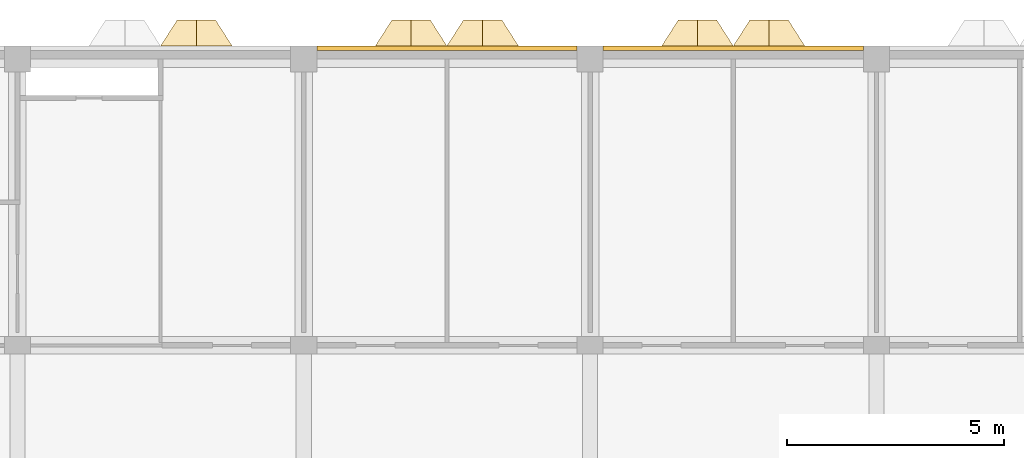
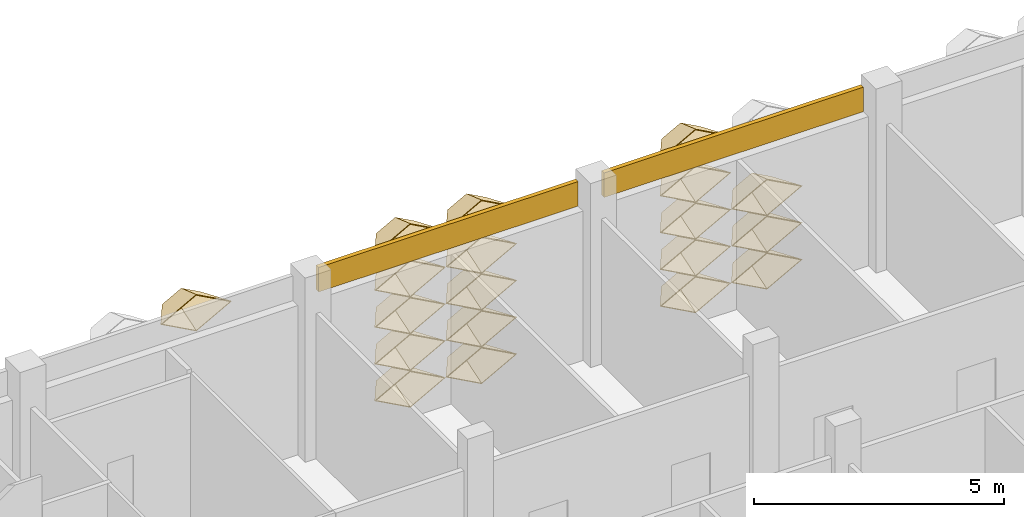
# One storey, part 79 of 87: 21 coverings.
"""IFC4 building model written with IfcOpenShell, lengths in metres."""

from ifc_helpers import new_model, entity, si_unit, direction, frame, frame_2d, origin, place, context, subcontext, project, spatial, rectangle, extrude, material, layer, layer_set, type_object, element, save


model = new_model("IFC4")

# Units and contexts
model_context = context("Model", 3, precision=1e-05, world=origin(), true_north=direction((0.0, 1.0)))
body_context = subcontext(model_context, "Body", "Model", "MODEL_VIEW")
ifc_project = project(units=[si_unit("LENGTHUNIT", "METRE"), si_unit("AREAUNIT", "SQUARE_METRE"), si_unit("VOLUMEUNIT", "CUBIC_METRE"), si_unit("PLANEANGLEUNIT", "RADIAN"), si_unit("MASSUNIT", "GRAM", prefix="KILO")], contexts=[model_context])

# Site, building, storey
site_placement = place(None, origin())
site = spatial("IfcSite", under=ifc_project, at=site_placement, CompositionType="ELEMENT")
building_placement = place(site_placement, origin())
building = spatial("IfcBuilding", under=site, at=building_placement, Name="Lantern Court Research Institute", CompositionType="ELEMENT")
storey_placement = place(building_placement, frame((0.0, 0.0, 5.39990234375)))
storey = spatial("IfcBuildingStorey", under=building, at=storey_placement, Name="L01", CompositionType="ELEMENT", Elevation=5.39990234375)

# Coverings
ifc_material_1 = material(Name="Aluminium composite panel with mineral wool insulation", Category="aluminium")
ifc_layer_1 = layer(ifc_material_1, 0.10009765625)
ifc_layer_set_1 = layer_set([ifc_layer_1], Name="Aluminium composite panel with mineral wool insulation")
covering_type_1 = type_object("IfcCoveringType", Name="Edge fascia panel 100 aluminium faced", PredefinedType="CLADDING", material=ifc_layer_set_1)
for number, where, z_axis, x_axis, name in (
    (1, (20.10009765625, 99.25, 3.650146484375), (0.0, 0.0, 1.0), (1.0, 0.0, 0.0), "Edge fascia V6N L01 03"),
    (2, (26.699951171875, 99.25, 3.650146484375), (0.0, 0.0, 1.0), (1.0, 0.0, 0.0), "Edge fascia V6N L01 04"),
):
    element("IfcCovering", number, at=place(storey_placement, frame(where, z_axis=z_axis, x_axis=x_axis)), inside=storey, type_object=covering_type_1, Name=name, PredefinedType="CLADDING", context=body_context, shape_type="SweptSolid", body=[
        extrude(rectangle(XDim=6.0, YDim=0.10009765625, at=frame_2d((3.0, 0.0))), origin(), (0.0, 0.0, 1.0), 0.599853515625),
    ])
ifc_material_2 = material(Name="Anodised aluminium", Category="aluminium")
ifc_layer_2 = layer(ifc_material_2, 0.01611328125)
ifc_layer_set_2 = layer_set([ifc_layer_2], Name="Anodised aluminium")
covering_type_2 = type_object("IfcCoveringType", Name="Fin cassette 1650 x 900 x 600 aluminium", PredefinedType="CLADDING", material=ifc_layer_set_2)
covering_1_placement = place(storey_placement, frame((22.27490234375, 99.300048828125, 0.4501953125), z_axis=(0.0, 1.0, 0.0), x_axis=(-1.0, 0.0, 0.0)))
cartesian_point_1 = entity("IfcCartesianPoint", [0.824951171875, 0.0])
cartesian_point_2 = entity("IfcCartesianPoint", [0.79150390625, 0.0])
cartesian_point_3 = entity("IfcCartesianPoint", [0.44189453125, 0.0])
cartesian_point_4 = entity("IfcCartesianPoint", [0.43359375, 0.0])
element("IfcCovering", 3, at=covering_1_placement, inside=storey, type_object=covering_type_2, Name="Fin cassette V6N-L01 1.14", PredefinedType="CLADDING", context=body_context, shape_type="SweptSolid", body=[
    entity("IfcExtrudedAreaSolidTapered", entity("IfcArbitraryProfileDefWithVoids", "AREA", None, entity("IfcPolyline", [cartesian_point_1, entity("IfcCartesianPoint", [0.0, 0.449951171875]), entity("IfcCartesianPoint", [-0.824951171875, 0.0]), entity("IfcCartesianPoint", [0.0, -0.449951171875]), cartesian_point_1]), [entity("IfcPolyline", [cartesian_point_2, entity("IfcCartesianPoint", [0.0, 0.431884765625]), entity("IfcCartesianPoint", [-0.79150390625, 0.0]), entity("IfcCartesianPoint", [0.0, -0.431884765625]), cartesian_point_2])]), entity("IfcAxis2Placement3D", entity("IfcCartesianPoint", [0.0, 0.0, 0.0])), entity("IfcDirection", [0.0, 0.0, 1.0]), 0.60009765625, entity("IfcArbitraryProfileDefWithVoids", "AREA", None, entity("IfcPolyline", [cartesian_point_3, entity("IfcCartesianPoint", [0.0, 0.240966796875]), entity("IfcCartesianPoint", [-0.44189453125, 0.0]), entity("IfcCartesianPoint", [0.0, -0.240966796875]), cartesian_point_3]), [entity("IfcPolyline", [cartesian_point_4, entity("IfcCartesianPoint", [0.0, 0.236572265625]), entity("IfcCartesianPoint", [-0.43359375, 0.0]), entity("IfcCartesianPoint", [0.0, -0.236572265625]), cartesian_point_4])])),
])
covering_2_placement = place(storey_placement, frame((23.925048828125, 99.300048828125, 0.4501953125), z_axis=(0.0, 1.0, 0.0), x_axis=(-1.0, 0.0, 0.0)))
cartesian_point_5 = entity("IfcCartesianPoint", [0.824951171875, 0.0])
cartesian_point_6 = entity("IfcCartesianPoint", [0.79150390625, 0.0])
cartesian_point_7 = entity("IfcCartesianPoint", [0.44189453125, 0.0])
cartesian_point_8 = entity("IfcCartesianPoint", [0.43359375, 0.0])
element("IfcCovering", 4, at=covering_2_placement, inside=storey, type_object=covering_type_2, Name="Fin cassette V6N-L01 1.15", PredefinedType="CLADDING", context=body_context, shape_type="SweptSolid", body=[
    entity("IfcExtrudedAreaSolidTapered", entity("IfcArbitraryProfileDefWithVoids", "AREA", None, entity("IfcPolyline", [cartesian_point_5, entity("IfcCartesianPoint", [0.0, 0.449951171875]), entity("IfcCartesianPoint", [-0.824951171875, 0.0]), entity("IfcCartesianPoint", [0.0, -0.449951171875]), cartesian_point_5]), [entity("IfcPolyline", [cartesian_point_6, entity("IfcCartesianPoint", [0.0, 0.431884765625]), entity("IfcCartesianPoint", [-0.79150390625, 0.0]), entity("IfcCartesianPoint", [0.0, -0.431884765625]), cartesian_point_6])]), entity("IfcAxis2Placement3D", entity("IfcCartesianPoint", [0.0, 0.0, 0.0])), entity("IfcDirection", [0.0, 0.0, 1.0]), 0.60009765625, entity("IfcArbitraryProfileDefWithVoids", "AREA", None, entity("IfcPolyline", [cartesian_point_7, entity("IfcCartesianPoint", [0.0, 0.240966796875]), entity("IfcCartesianPoint", [-0.44189453125, 0.0]), entity("IfcCartesianPoint", [0.0, -0.240966796875]), cartesian_point_7]), [entity("IfcPolyline", [cartesian_point_8, entity("IfcCartesianPoint", [0.0, 0.236572265625]), entity("IfcCartesianPoint", [-0.43359375, 0.0]), entity("IfcCartesianPoint", [0.0, -0.236572265625]), cartesian_point_8])])),
])
covering_3_placement = place(storey_placement, frame((28.875, 99.300048828125, 0.4501953125), z_axis=(0.0, 1.0, 0.0), x_axis=(-1.0, 0.0, 0.0)))
cartesian_point_9 = entity("IfcCartesianPoint", [0.824951171875, 0.0])
cartesian_point_10 = entity("IfcCartesianPoint", [0.79150390625, 0.0])
cartesian_point_11 = entity("IfcCartesianPoint", [0.44189453125, 0.0])
cartesian_point_12 = entity("IfcCartesianPoint", [0.43359375, 0.0])
element("IfcCovering", 5, at=covering_3_placement, inside=storey, type_object=covering_type_2, Name="Fin cassette V6N-L01 1.18", PredefinedType="CLADDING", context=body_context, shape_type="SweptSolid", body=[
    entity("IfcExtrudedAreaSolidTapered", entity("IfcArbitraryProfileDefWithVoids", "AREA", None, entity("IfcPolyline", [cartesian_point_9, entity("IfcCartesianPoint", [0.0, 0.449951171875]), entity("IfcCartesianPoint", [-0.824951171875, 0.0]), entity("IfcCartesianPoint", [0.0, -0.449951171875]), cartesian_point_9]), [entity("IfcPolyline", [cartesian_point_10, entity("IfcCartesianPoint", [0.0, 0.431884765625]), entity("IfcCartesianPoint", [-0.79150390625, 0.0]), entity("IfcCartesianPoint", [0.0, -0.431884765625]), cartesian_point_10])]), entity("IfcAxis2Placement3D", entity("IfcCartesianPoint", [0.0, 0.0, 0.0])), entity("IfcDirection", [0.0, 0.0, 1.0]), 0.60009765625, entity("IfcArbitraryProfileDefWithVoids", "AREA", None, entity("IfcPolyline", [cartesian_point_11, entity("IfcCartesianPoint", [0.0, 0.240966796875]), entity("IfcCartesianPoint", [-0.44189453125, 0.0]), entity("IfcCartesianPoint", [0.0, -0.240966796875]), cartesian_point_11]), [entity("IfcPolyline", [cartesian_point_12, entity("IfcCartesianPoint", [0.0, 0.236572265625]), entity("IfcCartesianPoint", [-0.43359375, 0.0]), entity("IfcCartesianPoint", [0.0, -0.236572265625]), cartesian_point_12])])),
])
covering_4_placement = place(storey_placement, frame((30.52490234375, 99.300048828125, 0.4501953125), z_axis=(0.0, 1.0, 0.0), x_axis=(-1.0, 0.0, 0.0)))
cartesian_point_13 = entity("IfcCartesianPoint", [0.824951171875, 0.0])
cartesian_point_14 = entity("IfcCartesianPoint", [0.79150390625, 0.0])
cartesian_point_15 = entity("IfcCartesianPoint", [0.44189453125, 0.0])
cartesian_point_16 = entity("IfcCartesianPoint", [0.43359375, 0.0])
element("IfcCovering", 6, at=covering_4_placement, inside=storey, type_object=covering_type_2, Name="Fin cassette V6N-L01 1.19", PredefinedType="CLADDING", context=body_context, shape_type="SweptSolid", body=[
    entity("IfcExtrudedAreaSolidTapered", entity("IfcArbitraryProfileDefWithVoids", "AREA", None, entity("IfcPolyline", [cartesian_point_13, entity("IfcCartesianPoint", [0.0, 0.449951171875]), entity("IfcCartesianPoint", [-0.824951171875, 0.0]), entity("IfcCartesianPoint", [0.0, -0.449951171875]), cartesian_point_13]), [entity("IfcPolyline", [cartesian_point_14, entity("IfcCartesianPoint", [0.0, 0.431884765625]), entity("IfcCartesianPoint", [-0.79150390625, 0.0]), entity("IfcCartesianPoint", [0.0, -0.431884765625]), cartesian_point_14])]), entity("IfcAxis2Placement3D", entity("IfcCartesianPoint", [0.0, 0.0, 0.0])), entity("IfcDirection", [0.0, 0.0, 1.0]), 0.60009765625, entity("IfcArbitraryProfileDefWithVoids", "AREA", None, entity("IfcPolyline", [cartesian_point_15, entity("IfcCartesianPoint", [0.0, 0.240966796875]), entity("IfcCartesianPoint", [-0.44189453125, 0.0]), entity("IfcCartesianPoint", [0.0, -0.240966796875]), cartesian_point_15]), [entity("IfcPolyline", [cartesian_point_16, entity("IfcCartesianPoint", [0.0, 0.236572265625]), entity("IfcCartesianPoint", [-0.43359375, 0.0]), entity("IfcCartesianPoint", [0.0, -0.236572265625]), cartesian_point_16])])),
])
covering_5_placement = place(storey_placement, frame((22.27490234375, 99.300048828125, 1.35009765625), z_axis=(0.0, 1.0, 0.0), x_axis=(-1.0, 0.0, 0.0)))
cartesian_point_17 = entity("IfcCartesianPoint", [0.824951171875, 0.0])
cartesian_point_18 = entity("IfcCartesianPoint", [0.79150390625, 0.0])
cartesian_point_19 = entity("IfcCartesianPoint", [0.44189453125, 0.0])
cartesian_point_20 = entity("IfcCartesianPoint", [0.43359375, 0.0])
element("IfcCovering", 7, at=covering_5_placement, inside=storey, type_object=covering_type_2, Name="Fin cassette V6N-L01 2.14", PredefinedType="CLADDING", context=body_context, shape_type="SweptSolid", body=[
    entity("IfcExtrudedAreaSolidTapered", entity("IfcArbitraryProfileDefWithVoids", "AREA", None, entity("IfcPolyline", [cartesian_point_17, entity("IfcCartesianPoint", [0.0, 0.449951171875]), entity("IfcCartesianPoint", [-0.824951171875, 0.0]), entity("IfcCartesianPoint", [0.0, -0.449951171875]), cartesian_point_17]), [entity("IfcPolyline", [cartesian_point_18, entity("IfcCartesianPoint", [0.0, 0.431884765625]), entity("IfcCartesianPoint", [-0.79150390625, 0.0]), entity("IfcCartesianPoint", [0.0, -0.431884765625]), cartesian_point_18])]), entity("IfcAxis2Placement3D", entity("IfcCartesianPoint", [0.0, 0.0, 0.0])), entity("IfcDirection", [0.0, 0.0, 1.0]), 0.60009765625, entity("IfcArbitraryProfileDefWithVoids", "AREA", None, entity("IfcPolyline", [cartesian_point_19, entity("IfcCartesianPoint", [0.0, 0.240966796875]), entity("IfcCartesianPoint", [-0.44189453125, 0.0]), entity("IfcCartesianPoint", [0.0, -0.240966796875]), cartesian_point_19]), [entity("IfcPolyline", [cartesian_point_20, entity("IfcCartesianPoint", [0.0, 0.236572265625]), entity("IfcCartesianPoint", [-0.43359375, 0.0]), entity("IfcCartesianPoint", [0.0, -0.236572265625]), cartesian_point_20])])),
])
covering_6_placement = place(storey_placement, frame((23.925048828125, 99.300048828125, 1.35009765625), z_axis=(0.0, 1.0, 0.0), x_axis=(-1.0, 0.0, 0.0)))
cartesian_point_21 = entity("IfcCartesianPoint", [0.824951171875, 0.0])
cartesian_point_22 = entity("IfcCartesianPoint", [0.79150390625, 0.0])
cartesian_point_23 = entity("IfcCartesianPoint", [0.44189453125, 0.0])
cartesian_point_24 = entity("IfcCartesianPoint", [0.43359375, 0.0])
element("IfcCovering", 8, at=covering_6_placement, inside=storey, type_object=covering_type_2, Name="Fin cassette V6N-L01 2.15", PredefinedType="CLADDING", context=body_context, shape_type="SweptSolid", body=[
    entity("IfcExtrudedAreaSolidTapered", entity("IfcArbitraryProfileDefWithVoids", "AREA", None, entity("IfcPolyline", [cartesian_point_21, entity("IfcCartesianPoint", [0.0, 0.449951171875]), entity("IfcCartesianPoint", [-0.824951171875, 0.0]), entity("IfcCartesianPoint", [0.0, -0.449951171875]), cartesian_point_21]), [entity("IfcPolyline", [cartesian_point_22, entity("IfcCartesianPoint", [0.0, 0.431884765625]), entity("IfcCartesianPoint", [-0.79150390625, 0.0]), entity("IfcCartesianPoint", [0.0, -0.431884765625]), cartesian_point_22])]), entity("IfcAxis2Placement3D", entity("IfcCartesianPoint", [0.0, 0.0, 0.0])), entity("IfcDirection", [0.0, 0.0, 1.0]), 0.60009765625, entity("IfcArbitraryProfileDefWithVoids", "AREA", None, entity("IfcPolyline", [cartesian_point_23, entity("IfcCartesianPoint", [0.0, 0.240966796875]), entity("IfcCartesianPoint", [-0.44189453125, 0.0]), entity("IfcCartesianPoint", [0.0, -0.240966796875]), cartesian_point_23]), [entity("IfcPolyline", [cartesian_point_24, entity("IfcCartesianPoint", [0.0, 0.236572265625]), entity("IfcCartesianPoint", [-0.43359375, 0.0]), entity("IfcCartesianPoint", [0.0, -0.236572265625]), cartesian_point_24])])),
])
covering_7_placement = place(storey_placement, frame((28.875, 99.300048828125, 1.35009765625), z_axis=(0.0, 1.0, 0.0), x_axis=(-1.0, 0.0, 0.0)))
cartesian_point_25 = entity("IfcCartesianPoint", [0.824951171875, 0.0])
cartesian_point_26 = entity("IfcCartesianPoint", [0.79150390625, 0.0])
cartesian_point_27 = entity("IfcCartesianPoint", [0.44189453125, 0.0])
cartesian_point_28 = entity("IfcCartesianPoint", [0.43359375, 0.0])
element("IfcCovering", 9, at=covering_7_placement, inside=storey, type_object=covering_type_2, Name="Fin cassette V6N-L01 2.18", PredefinedType="CLADDING", context=body_context, shape_type="SweptSolid", body=[
    entity("IfcExtrudedAreaSolidTapered", entity("IfcArbitraryProfileDefWithVoids", "AREA", None, entity("IfcPolyline", [cartesian_point_25, entity("IfcCartesianPoint", [0.0, 0.449951171875]), entity("IfcCartesianPoint", [-0.824951171875, 0.0]), entity("IfcCartesianPoint", [0.0, -0.449951171875]), cartesian_point_25]), [entity("IfcPolyline", [cartesian_point_26, entity("IfcCartesianPoint", [0.0, 0.431884765625]), entity("IfcCartesianPoint", [-0.79150390625, 0.0]), entity("IfcCartesianPoint", [0.0, -0.431884765625]), cartesian_point_26])]), entity("IfcAxis2Placement3D", entity("IfcCartesianPoint", [0.0, 0.0, 0.0])), entity("IfcDirection", [0.0, 0.0, 1.0]), 0.60009765625, entity("IfcArbitraryProfileDefWithVoids", "AREA", None, entity("IfcPolyline", [cartesian_point_27, entity("IfcCartesianPoint", [0.0, 0.240966796875]), entity("IfcCartesianPoint", [-0.44189453125, 0.0]), entity("IfcCartesianPoint", [0.0, -0.240966796875]), cartesian_point_27]), [entity("IfcPolyline", [cartesian_point_28, entity("IfcCartesianPoint", [0.0, 0.236572265625]), entity("IfcCartesianPoint", [-0.43359375, 0.0]), entity("IfcCartesianPoint", [0.0, -0.236572265625]), cartesian_point_28])])),
])
covering_8_placement = place(storey_placement, frame((30.52490234375, 99.300048828125, 1.35009765625), z_axis=(0.0, 1.0, 0.0), x_axis=(-1.0, 0.0, 0.0)))
cartesian_point_29 = entity("IfcCartesianPoint", [0.824951171875, 0.0])
cartesian_point_30 = entity("IfcCartesianPoint", [0.79150390625, 0.0])
cartesian_point_31 = entity("IfcCartesianPoint", [0.44189453125, 0.0])
cartesian_point_32 = entity("IfcCartesianPoint", [0.43359375, 0.0])
element("IfcCovering", 10, at=covering_8_placement, inside=storey, type_object=covering_type_2, Name="Fin cassette V6N-L01 2.19", PredefinedType="CLADDING", context=body_context, shape_type="SweptSolid", body=[
    entity("IfcExtrudedAreaSolidTapered", entity("IfcArbitraryProfileDefWithVoids", "AREA", None, entity("IfcPolyline", [cartesian_point_29, entity("IfcCartesianPoint", [0.0, 0.449951171875]), entity("IfcCartesianPoint", [-0.824951171875, 0.0]), entity("IfcCartesianPoint", [0.0, -0.449951171875]), cartesian_point_29]), [entity("IfcPolyline", [cartesian_point_30, entity("IfcCartesianPoint", [0.0, 0.431884765625]), entity("IfcCartesianPoint", [-0.79150390625, 0.0]), entity("IfcCartesianPoint", [0.0, -0.431884765625]), cartesian_point_30])]), entity("IfcAxis2Placement3D", entity("IfcCartesianPoint", [0.0, 0.0, 0.0])), entity("IfcDirection", [0.0, 0.0, 1.0]), 0.60009765625, entity("IfcArbitraryProfileDefWithVoids", "AREA", None, entity("IfcPolyline", [cartesian_point_31, entity("IfcCartesianPoint", [0.0, 0.240966796875]), entity("IfcCartesianPoint", [-0.44189453125, 0.0]), entity("IfcCartesianPoint", [0.0, -0.240966796875]), cartesian_point_31]), [entity("IfcPolyline", [cartesian_point_32, entity("IfcCartesianPoint", [0.0, 0.236572265625]), entity("IfcCartesianPoint", [-0.43359375, 0.0]), entity("IfcCartesianPoint", [0.0, -0.236572265625]), cartesian_point_32])])),
])
covering_9_placement = place(storey_placement, frame((22.27490234375, 99.300048828125, 2.25), z_axis=(0.0, 1.0, 0.0), x_axis=(-1.0, 0.0, 0.0)))
cartesian_point_33 = entity("IfcCartesianPoint", [0.824951171875, 0.0])
cartesian_point_34 = entity("IfcCartesianPoint", [0.79150390625, 0.0])
cartesian_point_35 = entity("IfcCartesianPoint", [0.44189453125, 0.0])
cartesian_point_36 = entity("IfcCartesianPoint", [0.43359375, 0.0])
element("IfcCovering", 11, at=covering_9_placement, inside=storey, type_object=covering_type_2, Name="Fin cassette V6N-L01 3.14", PredefinedType="CLADDING", context=body_context, shape_type="SweptSolid", body=[
    entity("IfcExtrudedAreaSolidTapered", entity("IfcArbitraryProfileDefWithVoids", "AREA", None, entity("IfcPolyline", [cartesian_point_33, entity("IfcCartesianPoint", [0.0, 0.449951171875]), entity("IfcCartesianPoint", [-0.824951171875, 0.0]), entity("IfcCartesianPoint", [0.0, -0.449951171875]), cartesian_point_33]), [entity("IfcPolyline", [cartesian_point_34, entity("IfcCartesianPoint", [0.0, 0.431884765625]), entity("IfcCartesianPoint", [-0.79150390625, 0.0]), entity("IfcCartesianPoint", [0.0, -0.431884765625]), cartesian_point_34])]), entity("IfcAxis2Placement3D", entity("IfcCartesianPoint", [0.0, 0.0, 0.0])), entity("IfcDirection", [0.0, 0.0, 1.0]), 0.60009765625, entity("IfcArbitraryProfileDefWithVoids", "AREA", None, entity("IfcPolyline", [cartesian_point_35, entity("IfcCartesianPoint", [0.0, 0.240966796875]), entity("IfcCartesianPoint", [-0.44189453125, 0.0]), entity("IfcCartesianPoint", [0.0, -0.240966796875]), cartesian_point_35]), [entity("IfcPolyline", [cartesian_point_36, entity("IfcCartesianPoint", [0.0, 0.236572265625]), entity("IfcCartesianPoint", [-0.43359375, 0.0]), entity("IfcCartesianPoint", [0.0, -0.236572265625]), cartesian_point_36])])),
])
covering_10_placement = place(storey_placement, frame((23.925048828125, 99.300048828125, 2.25), z_axis=(0.0, 1.0, 0.0), x_axis=(-1.0, 0.0, 0.0)))
cartesian_point_37 = entity("IfcCartesianPoint", [0.824951171875, 0.0])
cartesian_point_38 = entity("IfcCartesianPoint", [0.79150390625, 0.0])
cartesian_point_39 = entity("IfcCartesianPoint", [0.44189453125, 0.0])
cartesian_point_40 = entity("IfcCartesianPoint", [0.43359375, 0.0])
element("IfcCovering", 12, at=covering_10_placement, inside=storey, type_object=covering_type_2, Name="Fin cassette V6N-L01 3.15", PredefinedType="CLADDING", context=body_context, shape_type="SweptSolid", body=[
    entity("IfcExtrudedAreaSolidTapered", entity("IfcArbitraryProfileDefWithVoids", "AREA", None, entity("IfcPolyline", [cartesian_point_37, entity("IfcCartesianPoint", [0.0, 0.449951171875]), entity("IfcCartesianPoint", [-0.824951171875, 0.0]), entity("IfcCartesianPoint", [0.0, -0.449951171875]), cartesian_point_37]), [entity("IfcPolyline", [cartesian_point_38, entity("IfcCartesianPoint", [0.0, 0.431884765625]), entity("IfcCartesianPoint", [-0.79150390625, 0.0]), entity("IfcCartesianPoint", [0.0, -0.431884765625]), cartesian_point_38])]), entity("IfcAxis2Placement3D", entity("IfcCartesianPoint", [0.0, 0.0, 0.0])), entity("IfcDirection", [0.0, 0.0, 1.0]), 0.60009765625, entity("IfcArbitraryProfileDefWithVoids", "AREA", None, entity("IfcPolyline", [cartesian_point_39, entity("IfcCartesianPoint", [0.0, 0.240966796875]), entity("IfcCartesianPoint", [-0.44189453125, 0.0]), entity("IfcCartesianPoint", [0.0, -0.240966796875]), cartesian_point_39]), [entity("IfcPolyline", [cartesian_point_40, entity("IfcCartesianPoint", [0.0, 0.236572265625]), entity("IfcCartesianPoint", [-0.43359375, 0.0]), entity("IfcCartesianPoint", [0.0, -0.236572265625]), cartesian_point_40])])),
])
covering_11_placement = place(storey_placement, frame((28.875, 99.300048828125, 2.25), z_axis=(0.0, 1.0, 0.0), x_axis=(-1.0, 0.0, 0.0)))
cartesian_point_41 = entity("IfcCartesianPoint", [0.824951171875, 0.0])
cartesian_point_42 = entity("IfcCartesianPoint", [0.79150390625, 0.0])
cartesian_point_43 = entity("IfcCartesianPoint", [0.44189453125, 0.0])
cartesian_point_44 = entity("IfcCartesianPoint", [0.43359375, 0.0])
element("IfcCovering", 13, at=covering_11_placement, inside=storey, type_object=covering_type_2, Name="Fin cassette V6N-L01 3.18", PredefinedType="CLADDING", context=body_context, shape_type="SweptSolid", body=[
    entity("IfcExtrudedAreaSolidTapered", entity("IfcArbitraryProfileDefWithVoids", "AREA", None, entity("IfcPolyline", [cartesian_point_41, entity("IfcCartesianPoint", [0.0, 0.449951171875]), entity("IfcCartesianPoint", [-0.824951171875, 0.0]), entity("IfcCartesianPoint", [0.0, -0.449951171875]), cartesian_point_41]), [entity("IfcPolyline", [cartesian_point_42, entity("IfcCartesianPoint", [0.0, 0.431884765625]), entity("IfcCartesianPoint", [-0.79150390625, 0.0]), entity("IfcCartesianPoint", [0.0, -0.431884765625]), cartesian_point_42])]), entity("IfcAxis2Placement3D", entity("IfcCartesianPoint", [0.0, 0.0, 0.0])), entity("IfcDirection", [0.0, 0.0, 1.0]), 0.60009765625, entity("IfcArbitraryProfileDefWithVoids", "AREA", None, entity("IfcPolyline", [cartesian_point_43, entity("IfcCartesianPoint", [0.0, 0.240966796875]), entity("IfcCartesianPoint", [-0.44189453125, 0.0]), entity("IfcCartesianPoint", [0.0, -0.240966796875]), cartesian_point_43]), [entity("IfcPolyline", [cartesian_point_44, entity("IfcCartesianPoint", [0.0, 0.236572265625]), entity("IfcCartesianPoint", [-0.43359375, 0.0]), entity("IfcCartesianPoint", [0.0, -0.236572265625]), cartesian_point_44])])),
])
covering_12_placement = place(storey_placement, frame((30.52490234375, 99.300048828125, 2.25), z_axis=(0.0, 1.0, 0.0), x_axis=(-1.0, 0.0, 0.0)))
cartesian_point_45 = entity("IfcCartesianPoint", [0.824951171875, 0.0])
cartesian_point_46 = entity("IfcCartesianPoint", [0.79150390625, 0.0])
cartesian_point_47 = entity("IfcCartesianPoint", [0.44189453125, 0.0])
cartesian_point_48 = entity("IfcCartesianPoint", [0.43359375, 0.0])
element("IfcCovering", 14, at=covering_12_placement, inside=storey, type_object=covering_type_2, Name="Fin cassette V6N-L01 3.19", PredefinedType="CLADDING", context=body_context, shape_type="SweptSolid", body=[
    entity("IfcExtrudedAreaSolidTapered", entity("IfcArbitraryProfileDefWithVoids", "AREA", None, entity("IfcPolyline", [cartesian_point_45, entity("IfcCartesianPoint", [0.0, 0.449951171875]), entity("IfcCartesianPoint", [-0.824951171875, 0.0]), entity("IfcCartesianPoint", [0.0, -0.449951171875]), cartesian_point_45]), [entity("IfcPolyline", [cartesian_point_46, entity("IfcCartesianPoint", [0.0, 0.431884765625]), entity("IfcCartesianPoint", [-0.79150390625, 0.0]), entity("IfcCartesianPoint", [0.0, -0.431884765625]), cartesian_point_46])]), entity("IfcAxis2Placement3D", entity("IfcCartesianPoint", [0.0, 0.0, 0.0])), entity("IfcDirection", [0.0, 0.0, 1.0]), 0.60009765625, entity("IfcArbitraryProfileDefWithVoids", "AREA", None, entity("IfcPolyline", [cartesian_point_47, entity("IfcCartesianPoint", [0.0, 0.240966796875]), entity("IfcCartesianPoint", [-0.44189453125, 0.0]), entity("IfcCartesianPoint", [0.0, -0.240966796875]), cartesian_point_47]), [entity("IfcPolyline", [cartesian_point_48, entity("IfcCartesianPoint", [0.0, 0.236572265625]), entity("IfcCartesianPoint", [-0.43359375, 0.0]), entity("IfcCartesianPoint", [0.0, -0.236572265625]), cartesian_point_48])])),
])
covering_13_placement = place(storey_placement, frame((22.27490234375, 99.300048828125, 3.150146484375), z_axis=(0.0, 1.0, 0.0), x_axis=(-1.0, 0.0, 0.0)))
cartesian_point_49 = entity("IfcCartesianPoint", [0.824951171875, 0.0])
cartesian_point_50 = entity("IfcCartesianPoint", [0.79150390625, 0.0])
cartesian_point_51 = entity("IfcCartesianPoint", [0.44189453125, 0.0])
cartesian_point_52 = entity("IfcCartesianPoint", [0.43359375, 0.0])
element("IfcCovering", 15, at=covering_13_placement, inside=storey, type_object=covering_type_2, Name="Fin cassette V6N-L01 4.14", PredefinedType="CLADDING", context=body_context, shape_type="SweptSolid", body=[
    entity("IfcExtrudedAreaSolidTapered", entity("IfcArbitraryProfileDefWithVoids", "AREA", None, entity("IfcPolyline", [cartesian_point_49, entity("IfcCartesianPoint", [0.0, 0.449951171875]), entity("IfcCartesianPoint", [-0.824951171875, 0.0]), entity("IfcCartesianPoint", [0.0, -0.449951171875]), cartesian_point_49]), [entity("IfcPolyline", [cartesian_point_50, entity("IfcCartesianPoint", [0.0, 0.431884765625]), entity("IfcCartesianPoint", [-0.79150390625, 0.0]), entity("IfcCartesianPoint", [0.0, -0.431884765625]), cartesian_point_50])]), entity("IfcAxis2Placement3D", entity("IfcCartesianPoint", [0.0, 0.0, 0.0])), entity("IfcDirection", [0.0, 0.0, 1.0]), 0.60009765625, entity("IfcArbitraryProfileDefWithVoids", "AREA", None, entity("IfcPolyline", [cartesian_point_51, entity("IfcCartesianPoint", [0.0, 0.240966796875]), entity("IfcCartesianPoint", [-0.44189453125, 0.0]), entity("IfcCartesianPoint", [0.0, -0.240966796875]), cartesian_point_51]), [entity("IfcPolyline", [cartesian_point_52, entity("IfcCartesianPoint", [0.0, 0.236572265625]), entity("IfcCartesianPoint", [-0.43359375, 0.0]), entity("IfcCartesianPoint", [0.0, -0.236572265625]), cartesian_point_52])])),
])
covering_14_placement = place(storey_placement, frame((23.925048828125, 99.300048828125, 3.150146484375), z_axis=(0.0, 1.0, 0.0), x_axis=(-1.0, 0.0, 0.0)))
cartesian_point_53 = entity("IfcCartesianPoint", [0.824951171875, 0.0])
cartesian_point_54 = entity("IfcCartesianPoint", [0.79150390625, 0.0])
cartesian_point_55 = entity("IfcCartesianPoint", [0.44189453125, 0.0])
cartesian_point_56 = entity("IfcCartesianPoint", [0.43359375, 0.0])
element("IfcCovering", 16, at=covering_14_placement, inside=storey, type_object=covering_type_2, Name="Fin cassette V6N-L01 4.15", PredefinedType="CLADDING", context=body_context, shape_type="SweptSolid", body=[
    entity("IfcExtrudedAreaSolidTapered", entity("IfcArbitraryProfileDefWithVoids", "AREA", None, entity("IfcPolyline", [cartesian_point_53, entity("IfcCartesianPoint", [0.0, 0.449951171875]), entity("IfcCartesianPoint", [-0.824951171875, 0.0]), entity("IfcCartesianPoint", [0.0, -0.449951171875]), cartesian_point_53]), [entity("IfcPolyline", [cartesian_point_54, entity("IfcCartesianPoint", [0.0, 0.431884765625]), entity("IfcCartesianPoint", [-0.79150390625, 0.0]), entity("IfcCartesianPoint", [0.0, -0.431884765625]), cartesian_point_54])]), entity("IfcAxis2Placement3D", entity("IfcCartesianPoint", [0.0, 0.0, 0.0])), entity("IfcDirection", [0.0, 0.0, 1.0]), 0.60009765625, entity("IfcArbitraryProfileDefWithVoids", "AREA", None, entity("IfcPolyline", [cartesian_point_55, entity("IfcCartesianPoint", [0.0, 0.240966796875]), entity("IfcCartesianPoint", [-0.44189453125, 0.0]), entity("IfcCartesianPoint", [0.0, -0.240966796875]), cartesian_point_55]), [entity("IfcPolyline", [cartesian_point_56, entity("IfcCartesianPoint", [0.0, 0.236572265625]), entity("IfcCartesianPoint", [-0.43359375, 0.0]), entity("IfcCartesianPoint", [0.0, -0.236572265625]), cartesian_point_56])])),
])
covering_15_placement = place(storey_placement, frame((28.875, 99.300048828125, 3.150146484375), z_axis=(0.0, 1.0, 0.0), x_axis=(-1.0, 0.0, 0.0)))
cartesian_point_57 = entity("IfcCartesianPoint", [0.824951171875, 0.0])
cartesian_point_58 = entity("IfcCartesianPoint", [0.79150390625, 0.0])
cartesian_point_59 = entity("IfcCartesianPoint", [0.44189453125, 0.0])
cartesian_point_60 = entity("IfcCartesianPoint", [0.43359375, 0.0])
element("IfcCovering", 17, at=covering_15_placement, inside=storey, type_object=covering_type_2, Name="Fin cassette V6N-L01 4.18", PredefinedType="CLADDING", context=body_context, shape_type="SweptSolid", body=[
    entity("IfcExtrudedAreaSolidTapered", entity("IfcArbitraryProfileDefWithVoids", "AREA", None, entity("IfcPolyline", [cartesian_point_57, entity("IfcCartesianPoint", [0.0, 0.449951171875]), entity("IfcCartesianPoint", [-0.824951171875, 0.0]), entity("IfcCartesianPoint", [0.0, -0.449951171875]), cartesian_point_57]), [entity("IfcPolyline", [cartesian_point_58, entity("IfcCartesianPoint", [0.0, 0.431884765625]), entity("IfcCartesianPoint", [-0.79150390625, 0.0]), entity("IfcCartesianPoint", [0.0, -0.431884765625]), cartesian_point_58])]), entity("IfcAxis2Placement3D", entity("IfcCartesianPoint", [0.0, 0.0, 0.0])), entity("IfcDirection", [0.0, 0.0, 1.0]), 0.60009765625, entity("IfcArbitraryProfileDefWithVoids", "AREA", None, entity("IfcPolyline", [cartesian_point_59, entity("IfcCartesianPoint", [0.0, 0.240966796875]), entity("IfcCartesianPoint", [-0.44189453125, 0.0]), entity("IfcCartesianPoint", [0.0, -0.240966796875]), cartesian_point_59]), [entity("IfcPolyline", [cartesian_point_60, entity("IfcCartesianPoint", [0.0, 0.236572265625]), entity("IfcCartesianPoint", [-0.43359375, 0.0]), entity("IfcCartesianPoint", [0.0, -0.236572265625]), cartesian_point_60])])),
])
covering_16_placement = place(storey_placement, frame((17.324951171875, 99.300048828125, 4.050048828125), z_axis=(0.0, 1.0, 0.0), x_axis=(-1.0, 0.0, 0.0)))
cartesian_point_61 = entity("IfcCartesianPoint", [0.824951171875, 0.0])
cartesian_point_62 = entity("IfcCartesianPoint", [0.79150390625, 0.0])
cartesian_point_63 = entity("IfcCartesianPoint", [0.44189453125, 0.0])
cartesian_point_64 = entity("IfcCartesianPoint", [0.43359375, 0.0])
element("IfcCovering", 18, at=covering_16_placement, inside=storey, type_object=covering_type_2, Name="Fin cassette V6N-L01 5.11", PredefinedType="CLADDING", context=body_context, shape_type="SweptSolid", body=[
    entity("IfcExtrudedAreaSolidTapered", entity("IfcArbitraryProfileDefWithVoids", "AREA", None, entity("IfcPolyline", [cartesian_point_61, entity("IfcCartesianPoint", [0.0, 0.449951171875]), entity("IfcCartesianPoint", [-0.824951171875, 0.0]), entity("IfcCartesianPoint", [0.0, -0.449951171875]), cartesian_point_61]), [entity("IfcPolyline", [cartesian_point_62, entity("IfcCartesianPoint", [0.0, 0.431884765625]), entity("IfcCartesianPoint", [-0.79150390625, 0.0]), entity("IfcCartesianPoint", [0.0, -0.431884765625]), cartesian_point_62])]), entity("IfcAxis2Placement3D", entity("IfcCartesianPoint", [0.0, 0.0, 0.0])), entity("IfcDirection", [0.0, 0.0, 1.0]), 0.60009765625, entity("IfcArbitraryProfileDefWithVoids", "AREA", None, entity("IfcPolyline", [cartesian_point_63, entity("IfcCartesianPoint", [0.0, 0.240966796875]), entity("IfcCartesianPoint", [-0.44189453125, 0.0]), entity("IfcCartesianPoint", [0.0, -0.240966796875]), cartesian_point_63]), [entity("IfcPolyline", [cartesian_point_64, entity("IfcCartesianPoint", [0.0, 0.236572265625]), entity("IfcCartesianPoint", [-0.43359375, 0.0]), entity("IfcCartesianPoint", [0.0, -0.236572265625]), cartesian_point_64])])),
])
covering_17_placement = place(storey_placement, frame((22.27490234375, 99.300048828125, 4.050048828125), z_axis=(0.0, 1.0, 0.0), x_axis=(-1.0, 0.0, 0.0)))
cartesian_point_65 = entity("IfcCartesianPoint", [0.824951171875, 0.0])
cartesian_point_66 = entity("IfcCartesianPoint", [0.79150390625, 0.0])
cartesian_point_67 = entity("IfcCartesianPoint", [0.44189453125, 0.0])
cartesian_point_68 = entity("IfcCartesianPoint", [0.43359375, 0.0])
element("IfcCovering", 19, at=covering_17_placement, inside=storey, type_object=covering_type_2, Name="Fin cassette V6N-L01 5.14", PredefinedType="CLADDING", context=body_context, shape_type="SweptSolid", body=[
    entity("IfcExtrudedAreaSolidTapered", entity("IfcArbitraryProfileDefWithVoids", "AREA", None, entity("IfcPolyline", [cartesian_point_65, entity("IfcCartesianPoint", [0.0, 0.449951171875]), entity("IfcCartesianPoint", [-0.824951171875, 0.0]), entity("IfcCartesianPoint", [0.0, -0.449951171875]), cartesian_point_65]), [entity("IfcPolyline", [cartesian_point_66, entity("IfcCartesianPoint", [0.0, 0.431884765625]), entity("IfcCartesianPoint", [-0.79150390625, 0.0]), entity("IfcCartesianPoint", [0.0, -0.431884765625]), cartesian_point_66])]), entity("IfcAxis2Placement3D", entity("IfcCartesianPoint", [0.0, 0.0, 0.0])), entity("IfcDirection", [0.0, 0.0, 1.0]), 0.60009765625, entity("IfcArbitraryProfileDefWithVoids", "AREA", None, entity("IfcPolyline", [cartesian_point_67, entity("IfcCartesianPoint", [0.0, 0.240966796875]), entity("IfcCartesianPoint", [-0.44189453125, 0.0]), entity("IfcCartesianPoint", [0.0, -0.240966796875]), cartesian_point_67]), [entity("IfcPolyline", [cartesian_point_68, entity("IfcCartesianPoint", [0.0, 0.236572265625]), entity("IfcCartesianPoint", [-0.43359375, 0.0]), entity("IfcCartesianPoint", [0.0, -0.236572265625]), cartesian_point_68])])),
])
covering_18_placement = place(storey_placement, frame((23.925048828125, 99.300048828125, 4.050048828125), z_axis=(0.0, 1.0, 0.0), x_axis=(-1.0, 0.0, 0.0)))
cartesian_point_69 = entity("IfcCartesianPoint", [0.824951171875, 0.0])
cartesian_point_70 = entity("IfcCartesianPoint", [0.79150390625, 0.0])
cartesian_point_71 = entity("IfcCartesianPoint", [0.44189453125, 0.0])
cartesian_point_72 = entity("IfcCartesianPoint", [0.43359375, 0.0])
element("IfcCovering", 20, at=covering_18_placement, inside=storey, type_object=covering_type_2, Name="Fin cassette V6N-L01 5.15", PredefinedType="CLADDING", context=body_context, shape_type="SweptSolid", body=[
    entity("IfcExtrudedAreaSolidTapered", entity("IfcArbitraryProfileDefWithVoids", "AREA", None, entity("IfcPolyline", [cartesian_point_69, entity("IfcCartesianPoint", [0.0, 0.449951171875]), entity("IfcCartesianPoint", [-0.824951171875, 0.0]), entity("IfcCartesianPoint", [0.0, -0.449951171875]), cartesian_point_69]), [entity("IfcPolyline", [cartesian_point_70, entity("IfcCartesianPoint", [0.0, 0.431884765625]), entity("IfcCartesianPoint", [-0.79150390625, 0.0]), entity("IfcCartesianPoint", [0.0, -0.431884765625]), cartesian_point_70])]), entity("IfcAxis2Placement3D", entity("IfcCartesianPoint", [0.0, 0.0, 0.0])), entity("IfcDirection", [0.0, 0.0, 1.0]), 0.60009765625, entity("IfcArbitraryProfileDefWithVoids", "AREA", None, entity("IfcPolyline", [cartesian_point_71, entity("IfcCartesianPoint", [0.0, 0.240966796875]), entity("IfcCartesianPoint", [-0.44189453125, 0.0]), entity("IfcCartesianPoint", [0.0, -0.240966796875]), cartesian_point_71]), [entity("IfcPolyline", [cartesian_point_72, entity("IfcCartesianPoint", [0.0, 0.236572265625]), entity("IfcCartesianPoint", [-0.43359375, 0.0]), entity("IfcCartesianPoint", [0.0, -0.236572265625]), cartesian_point_72])])),
])
covering_19_placement = place(storey_placement, frame((28.875, 99.300048828125, 4.050048828125), z_axis=(0.0, 1.0, 0.0), x_axis=(-1.0, 0.0, 0.0)))
cartesian_point_73 = entity("IfcCartesianPoint", [0.824951171875, 0.0])
cartesian_point_74 = entity("IfcCartesianPoint", [0.79150390625, 0.0])
cartesian_point_75 = entity("IfcCartesianPoint", [0.44189453125, 0.0])
cartesian_point_76 = entity("IfcCartesianPoint", [0.43359375, 0.0])
element("IfcCovering", 21, at=covering_19_placement, inside=storey, type_object=covering_type_2, Name="Fin cassette V6N-L01 5.18", PredefinedType="CLADDING", context=body_context, shape_type="SweptSolid", body=[
    entity("IfcExtrudedAreaSolidTapered", entity("IfcArbitraryProfileDefWithVoids", "AREA", None, entity("IfcPolyline", [cartesian_point_73, entity("IfcCartesianPoint", [0.0, 0.449951171875]), entity("IfcCartesianPoint", [-0.824951171875, 0.0]), entity("IfcCartesianPoint", [0.0, -0.449951171875]), cartesian_point_73]), [entity("IfcPolyline", [cartesian_point_74, entity("IfcCartesianPoint", [0.0, 0.431884765625]), entity("IfcCartesianPoint", [-0.79150390625, 0.0]), entity("IfcCartesianPoint", [0.0, -0.431884765625]), cartesian_point_74])]), entity("IfcAxis2Placement3D", entity("IfcCartesianPoint", [0.0, 0.0, 0.0])), entity("IfcDirection", [0.0, 0.0, 1.0]), 0.60009765625, entity("IfcArbitraryProfileDefWithVoids", "AREA", None, entity("IfcPolyline", [cartesian_point_75, entity("IfcCartesianPoint", [0.0, 0.240966796875]), entity("IfcCartesianPoint", [-0.44189453125, 0.0]), entity("IfcCartesianPoint", [0.0, -0.240966796875]), cartesian_point_75]), [entity("IfcPolyline", [cartesian_point_76, entity("IfcCartesianPoint", [0.0, 0.236572265625]), entity("IfcCartesianPoint", [-0.43359375, 0.0]), entity("IfcCartesianPoint", [0.0, -0.236572265625]), cartesian_point_76])])),
])

save(model, "model.ifc")
